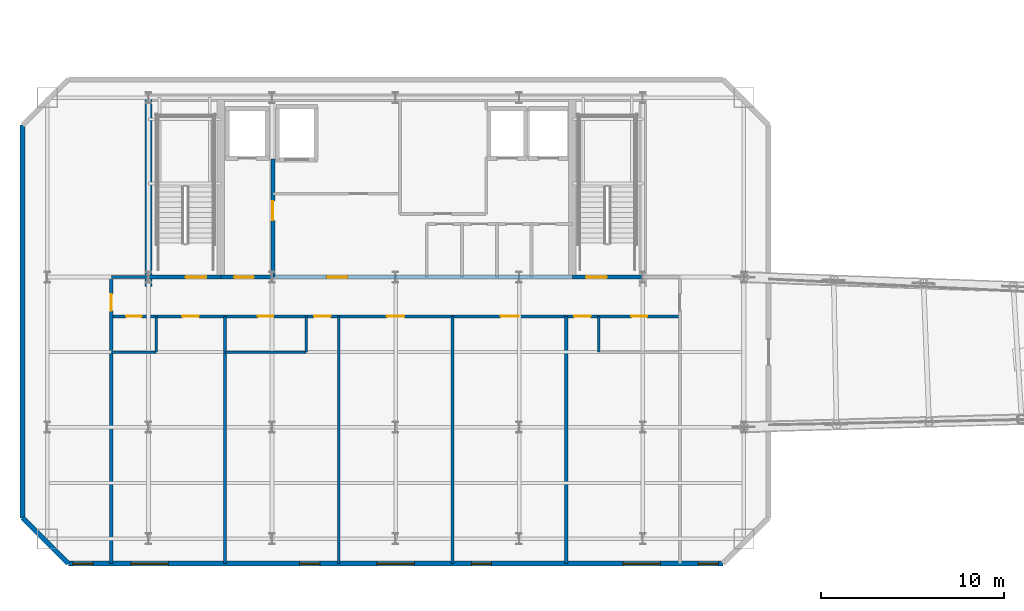
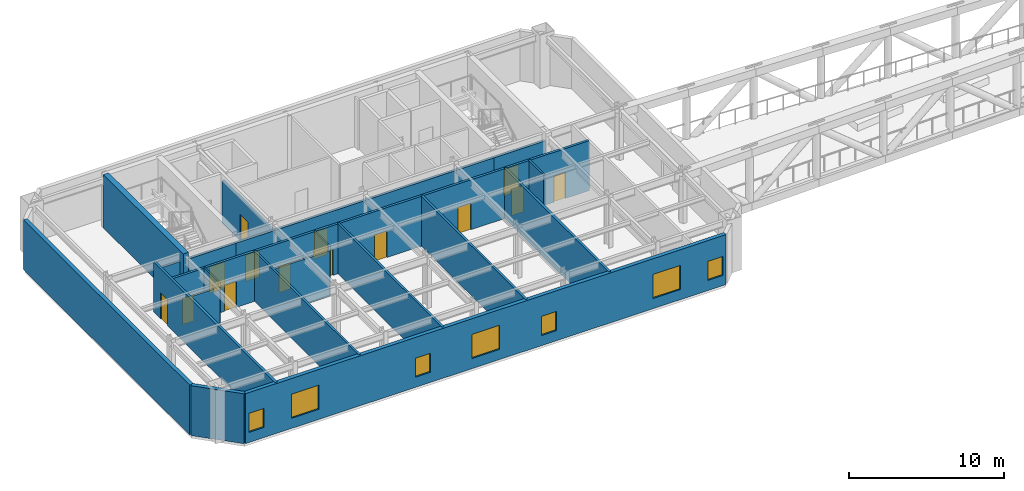
# One storey, part 7 of 14: 21 walls, 14 doors, 7 windows, 21 openings.
"""IFC4 building model written with IfcOpenShell, lengths in metres."""

from ifc_helpers import new_model, si_unit, direction, frame, frame_2d, origin, place, context, subcontext, project, spatial, rectangle, extrude, material, layer, layer_set, type_object, element, fill, save


model = new_model("IFC4")

# Units and contexts
model_context = context("Model", 3, precision=1e-05, world=origin(), true_north=direction((0.0, 1.0)))
body_context = subcontext(model_context, "Body", "Model", "MODEL_VIEW")
ifc_project = project(units=[si_unit("LENGTHUNIT", "METRE"), si_unit("AREAUNIT", "SQUARE_METRE"), si_unit("VOLUMEUNIT", "CUBIC_METRE"), si_unit("PLANEANGLEUNIT", "RADIAN"), si_unit("MASSUNIT", "GRAM", prefix="KILO")], contexts=[model_context])

# Site, building, storey
site_placement = place(None, origin())
site = spatial("IfcSite", under=ifc_project, at=site_placement, CompositionType="ELEMENT")
building_placement = place(site_placement, origin())
building = spatial("IfcBuilding", under=site, at=building_placement, Name="Haevon Station Towers", CompositionType="ELEMENT")
storey_placement = place(building_placement, frame((0.0, 0.0, 201.300048828125)))
storey = spatial("IfcBuildingStorey", under=building, at=storey_placement, Name="L55", CompositionType="ELEMENT", Elevation=201.300048828125)

# Wall, opening, door
ifc_material_1 = material(Name="Gypsum board on steel stud", Category="steel")
ifc_layer_1 = layer(ifc_material_1, 0.179931640625)
ifc_layer_set_1 = layer_set([ifc_layer_1], Name="Gypsum board on steel stud")
wall_type_1 = type_object("IfcWallType", Name="WL-ACU180", PredefinedType="PARTITIONING", material=ifc_layer_set_1)
wall_1_placement = place(storey_placement, frame((21.97509765625, 22.550048828125, 0.0), z_axis=(0.0, 0.0, 1.0), x_axis=(0.0, 1.0, 0.0)))
wall_1 = element("IfcWall", 1, at=wall_1_placement, inside=storey, type_object=wall_type_1, Name="WL-T1PT-L55-03", PredefinedType="PARTITIONING", context=body_context, shape_type="SweptSolid", body=[
    extrude(rectangle(XDim=15.64990234375, YDim=0.179931640625, at=frame_2d((7.824951171875, 0.0))), origin(), (0.0, 0.0, 1.0), 3.929931640625),
])
opening_1_placement = place(wall_1_placement, frame((13.820068359375, 0.0, 0.0)))
opening_1 = element("IfcOpeningElement", 2, at=opening_1_placement, cuts=wall_1, Name="Opening DR-WL-T1PT-L55-03-01", PredefinedType="OPENING", context=body_context, shape_type="SweptSolid", body=[
    extrude(rectangle(XDim=0.89990234375, YDim=2.050048828125, at=frame_2d((0.449951171875, 1.02490234375))), frame((0.0, 0.099853515625, 0.0), z_axis=(0.0, -1.0, 0.0), x_axis=(1.0, 0.0, 0.0)), (0.0, 0.0, 1.0), 0.199951171875),
])
ifc_material_2 = material(Name="Engineered oak timber", Category="wood")
door_type_1 = type_object("IfcDoorType", Name="DR-INT-900", OperationType="NOTDEFINED", PredefinedType="DOOR", material=ifc_material_2)
door_1_placement = place(opening_1_placement, origin())
door_1 = element("IfcDoor", 3, at=door_1_placement, inside=storey, type_object=door_type_1, Name="L55 Tower 1 Room Door 3-1", OperationType="SINGLE_SWING_LEFT", OverallHeight=2.050048828125, OverallWidth=0.89990234375, PredefinedType="DOOR", context=body_context, shape_type="SweptSolid", body=[
    extrude(rectangle(XDim=0.89990234375, YDim=2.050048828125, at=frame_2d((0.449951171875, 1.02490234375))), frame((0.0, 0.02490234375, 0.0), z_axis=(0.0, -1.0, 0.0), x_axis=(1.0, 0.0, 0.0)), (0.0, 0.0, 1.0), 0.050048828125),
])
fill(opening_1, door_1)

# Wall
wall_2_placement = place(storey_placement, frame((46.81494140625, 22.550048828125, 0.0), z_axis=(0.0, 0.0, 1.0), x_axis=(0.0, 1.0, 0.0)))
element("IfcWall", 4, at=wall_2_placement, inside=storey, type_object=wall_type_1, Name="WL-T1PT-L55-12", PredefinedType="PARTITIONING", context=body_context, shape_type="SweptSolid", body=[
    extrude(rectangle(XDim=13.5, YDim=0.179931640625, at=frame_2d((6.75, 0.0))), origin(), (0.0, 0.0, 1.0), 3.929931640625),
])

# Wall, openings, doors
wall_3_placement = place(storey_placement, frame((21.97509765625, 36.050048828125, 0.0), z_axis=(0.0, 0.0, 1.0), x_axis=(1.0, 0.0, 0.0)))
wall_3 = element("IfcWall", 5, at=wall_3_placement, inside=storey, type_object=wall_type_1, Name="WL-T1PT-L55-15", PredefinedType="PARTITIONING", context=body_context, shape_type="SweptSolid", body=[
    extrude(rectangle(XDim=31.0498046875, YDim=0.179931640625, at=frame_2d((15.52490234375, 0.0))), origin(), (0.0, 0.0, 1.0), 3.929931640625),
])
opening_2_placement = place(wall_3_placement, frame((0.800048828125, 0.0, 0.0)))
opening_2 = element("IfcOpeningElement", 6, at=opening_2_placement, cuts=wall_3, Name="Opening DR-WL-T1PT-L55-15-01", PredefinedType="OPENING", context=body_context, shape_type="SweptSolid", body=[
    extrude(rectangle(XDim=0.85009765625, YDim=2.050048828125, at=frame_2d((0.425048828125, 1.02490234375))), frame((0.0, 0.099853515625, 0.0), z_axis=(0.0, -1.0, 0.0), x_axis=(1.0, 0.0, 0.0)), (0.0, 0.0, 1.0), 0.199951171875),
])
opening_3_placement = place(wall_3_placement, frame((3.8798828125, 0.0, 0.0)))
opening_3 = element("IfcOpeningElement", 7, at=opening_3_placement, cuts=wall_3, Name="Opening DR-WL-T1PT-L55-15-02", PredefinedType="OPENING", context=body_context, shape_type="SweptSolid", body=[
    extrude(rectangle(XDim=0.89990234375, YDim=2.050048828125, at=frame_2d((0.449951171875, 1.02490234375))), frame((0.0, 0.099853515625, 0.0), z_axis=(0.0, -1.0, 0.0), x_axis=(1.0, 0.0, 0.0)), (0.0, 0.0, 1.0), 0.199951171875),
])
opening_4_placement = place(wall_3_placement, frame((8.0, 0.0, 0.0)))
opening_4 = element("IfcOpeningElement", 8, at=opening_4_placement, cuts=wall_3, Name="Opening DR-WL-T1PT-L55-15-03", PredefinedType="OPENING", context=body_context, shape_type="SweptSolid", body=[
    extrude(rectangle(XDim=0.85009765625, YDim=2.050048828125, at=frame_2d((0.425048828125, 1.02490234375))), frame((0.0, 0.099853515625, 0.0), z_axis=(0.0, -1.0, 0.0), x_axis=(1.0, 0.0, 0.0)), (0.0, 0.0, 1.0), 0.199951171875),
])
opening_5_placement = place(wall_3_placement, frame((11.080078125, 0.0, 0.0)))
opening_5 = element("IfcOpeningElement", 9, at=opening_5_placement, cuts=wall_3, Name="Opening DR-WL-T1PT-L55-15-04", PredefinedType="OPENING", context=body_context, shape_type="SweptSolid", body=[
    extrude(rectangle(XDim=0.89990234375, YDim=2.050048828125, at=frame_2d((0.449951171875, 1.02490234375))), frame((0.0, 0.099853515625, 0.0), z_axis=(0.0, -1.0, 0.0), x_axis=(1.0, 0.0, 0.0)), (0.0, 0.0, 1.0), 0.199951171875),
])
opening_6_placement = place(wall_3_placement, frame((15.050048828125, 0.0, 0.0)))
opening_6 = element("IfcOpeningElement", 10, at=opening_6_placement, cuts=wall_3, Name="Opening DR-WL-T1PT-L55-15-05", PredefinedType="OPENING", context=body_context, shape_type="SweptSolid", body=[
    extrude(rectangle(XDim=0.949951171875, YDim=2.10009765625, at=frame_2d((0.47509765625, 1.050048828125))), frame((0.0, 0.099853515625, 0.0), z_axis=(0.0, -1.0, 0.0), x_axis=(1.0, 0.0, 0.0)), (0.0, 0.0, 1.0), 0.199951171875),
])
opening_7_placement = place(wall_3_placement, frame((21.260009765625, 0.0, 0.0)))
opening_7 = element("IfcOpeningElement", 11, at=opening_7_placement, cuts=wall_3, Name="Opening DR-WL-T1PT-L55-15-06", PredefinedType="OPENING", context=body_context, shape_type="SweptSolid", body=[
    extrude(rectangle(XDim=0.97998046875, YDim=2.10009765625, at=frame_2d((0.489990234375, 1.050048828125))), frame((0.0, 0.099853515625, 0.0), z_axis=(0.0, -1.0, 0.0), x_axis=(1.0, 0.0, 0.0)), (0.0, 0.0, 1.0), 0.199951171875),
])
opening_8_placement = place(wall_3_placement, frame((28.409912109375, 0.0, 0.0)))
opening_8 = element("IfcOpeningElement", 12, at=opening_8_placement, cuts=wall_3, Name="Opening DR-WL-T1PT-L55-15-07", PredefinedType="OPENING", context=body_context, shape_type="SweptSolid", body=[
    extrude(rectangle(XDim=0.85009765625, YDim=2.050048828125, at=frame_2d((0.425048828125, 1.02490234375))), frame((0.0, 0.099853515625, 0.0), z_axis=(0.0, -1.0, 0.0), x_axis=(1.0, 0.0, 0.0)), (0.0, 0.0, 1.0), 0.199951171875),
])
opening_9_placement = place(wall_3_placement, frame((25.280029296875, 0.0, 0.0)))
opening_9 = element("IfcOpeningElement", 13, at=opening_9_placement, cuts=wall_3, Name="Opening DR-WL-T1PT-L55-15-08", PredefinedType="OPENING", context=body_context, shape_type="SweptSolid", body=[
    extrude(rectangle(XDim=0.89990234375, YDim=2.050048828125, at=frame_2d((0.449951171875, 1.02490234375))), frame((0.0, 0.099853515625, 0.0), z_axis=(0.0, -1.0, 0.0), x_axis=(1.0, 0.0, 0.0)), (0.0, 0.0, 1.0), 0.199951171875),
])
door_type_2 = type_object("IfcDoorType", Name="DR-FD30-850", OperationType="NOTDEFINED", PredefinedType="DOOR", material=ifc_material_2)
door_2_placement = place(opening_2_placement, origin())
door_2 = element("IfcDoor", 14, at=door_2_placement, inside=storey, type_object=door_type_2, Name="L55 Tower 1 Room Door 15-1", OperationType="SINGLE_SWING_LEFT", OverallHeight=2.050048828125, OverallWidth=0.85009765625, PredefinedType="DOOR", context=body_context, shape_type="SweptSolid", body=[
    extrude(rectangle(XDim=0.85009765625, YDim=2.050048828125, at=frame_2d((0.425048828125, 1.02490234375))), frame((0.0, 0.02490234375, 0.0), z_axis=(0.0, -1.0, 0.0), x_axis=(1.0, 0.0, 0.0)), (0.0, 0.0, 1.0), 0.050048828125),
])
fill(opening_2, door_2)
door_3_placement = place(opening_4_placement, origin())
door_3 = element("IfcDoor", 15, at=door_3_placement, inside=storey, type_object=door_type_2, Name="L55 Tower 1 Room Door 15-3", OperationType="SINGLE_SWING_LEFT", OverallHeight=2.050048828125, OverallWidth=0.85009765625, PredefinedType="DOOR", context=body_context, shape_type="SweptSolid", body=[
    extrude(rectangle(XDim=0.85009765625, YDim=2.050048828125, at=frame_2d((0.425048828125, 1.02490234375))), frame((0.0, 0.02490234375, 0.0), z_axis=(0.0, -1.0, 0.0), x_axis=(1.0, 0.0, 0.0)), (0.0, 0.0, 1.0), 0.050048828125),
])
fill(opening_4, door_3)
door_4_placement = place(opening_8_placement, origin())
door_4 = element("IfcDoor", 16, at=door_4_placement, inside=storey, type_object=door_type_2, Name="L55 Tower 1 Room Door 15-7", OperationType="SINGLE_SWING_LEFT", OverallHeight=2.050048828125, OverallWidth=0.85009765625, PredefinedType="DOOR", context=body_context, shape_type="SweptSolid", body=[
    extrude(rectangle(XDim=0.85009765625, YDim=2.050048828125, at=frame_2d((0.425048828125, 1.02490234375))), frame((0.0, 0.02490234375, 0.0), z_axis=(0.0, -1.0, 0.0), x_axis=(1.0, 0.0, 0.0)), (0.0, 0.0, 1.0), 0.050048828125),
])
fill(opening_8, door_4)
door_type_3 = type_object("IfcDoorType", Name="DR-FD30-950", OperationType="NOTDEFINED", PredefinedType="DOOR", material=ifc_material_2)
door_5_placement = place(opening_6_placement, origin())
door_5 = element("IfcDoor", 17, at=door_5_placement, inside=storey, type_object=door_type_3, Name="L55 Tower 1 Room Door 15-5", OperationType="SINGLE_SWING_LEFT", OverallHeight=2.10009765625, OverallWidth=0.949951171875, PredefinedType="DOOR", context=body_context, shape_type="SweptSolid", body=[
    extrude(rectangle(XDim=0.949951171875, YDim=2.10009765625, at=frame_2d((0.47509765625, 1.050048828125))), frame((0.0, 0.02490234375, 0.0), z_axis=(0.0, -1.0, 0.0), x_axis=(1.0, 0.0, 0.0)), (0.0, 0.0, 1.0), 0.050048828125),
])
fill(opening_6, door_5)
door_type_4 = type_object("IfcDoorType", Name="DR-FD30-980", OperationType="NOTDEFINED", PredefinedType="DOOR", material=ifc_material_2)
door_6_placement = place(opening_7_placement, origin())
door_6 = element("IfcDoor", 18, at=door_6_placement, inside=storey, type_object=door_type_4, Name="L55 Tower 1 Room Door 15-6", OperationType="SINGLE_SWING_RIGHT", OverallHeight=2.10009765625, OverallWidth=0.97998046875, PredefinedType="DOOR", context=body_context, shape_type="SweptSolid", body=[
    extrude(rectangle(XDim=0.97998046875, YDim=2.10009765625, at=frame_2d((0.489990234375, 1.050048828125))), frame((0.0, 0.02490234375, 0.0), z_axis=(0.0, -1.0, 0.0), x_axis=(1.0, 0.0, 0.0)), (0.0, 0.0, 1.0), 0.050048828125),
])
fill(opening_7, door_6)
door_7_placement = place(opening_3_placement, origin())
door_7 = element("IfcDoor", 19, at=door_7_placement, inside=storey, type_object=door_type_1, Name="L55 Tower 1 Room Door 15-2", OperationType="SINGLE_SWING_RIGHT", OverallHeight=2.050048828125, OverallWidth=0.89990234375, PredefinedType="DOOR", context=body_context, shape_type="SweptSolid", body=[
    extrude(rectangle(XDim=0.89990234375, YDim=2.050048828125, at=frame_2d((0.449951171875, 1.02490234375))), frame((0.0, 0.02490234375, 0.0), z_axis=(0.0, -1.0, 0.0), x_axis=(1.0, 0.0, 0.0)), (0.0, 0.0, 1.0), 0.050048828125),
])
fill(opening_3, door_7)
door_8_placement = place(opening_5_placement, origin())
door_8 = element("IfcDoor", 20, at=door_8_placement, inside=storey, type_object=door_type_1, Name="L55 Tower 1 Room Door 15-4", OperationType="SINGLE_SWING_RIGHT", OverallHeight=2.050048828125, OverallWidth=0.89990234375, PredefinedType="DOOR", context=body_context, shape_type="SweptSolid", body=[
    extrude(rectangle(XDim=0.89990234375, YDim=2.050048828125, at=frame_2d((0.449951171875, 1.02490234375))), frame((0.0, 0.02490234375, 0.0), z_axis=(0.0, -1.0, 0.0), x_axis=(1.0, 0.0, 0.0)), (0.0, 0.0, 1.0), 0.050048828125),
])
fill(opening_5, door_8)
door_9_placement = place(opening_9_placement, origin())
door_9 = element("IfcDoor", 21, at=door_9_placement, inside=storey, type_object=door_type_1, Name="L55 Tower 1 Room Door 15-8", OperationType="SINGLE_SWING_RIGHT", OverallHeight=2.050048828125, OverallWidth=0.89990234375, PredefinedType="DOOR", context=body_context, shape_type="SweptSolid", body=[
    extrude(rectangle(XDim=0.89990234375, YDim=2.050048828125, at=frame_2d((0.449951171875, 1.02490234375))), frame((0.0, 0.02490234375, 0.0), z_axis=(0.0, -1.0, 0.0), x_axis=(1.0, 0.0, 0.0)), (0.0, 0.0, 1.0), 0.050048828125),
])
fill(opening_9, door_9)

# Wall, opening, door
ifc_layer_2 = layer(ifc_material_1, 0.199951171875)
ifc_layer_set_2 = layer_set([ifc_layer_2], Name="Gypsum board on steel stud")
wall_type_2 = type_object("IfcWallType", Name="WL-COR200", PredefinedType="PARTITIONING", material=ifc_layer_set_2)
wall_4_placement = place(storey_placement, frame((24.0, 38.199951171875, 0.0), z_axis=(0.0, 0.0, 1.0), x_axis=(1.0, 0.0, 0.0)))
wall_4 = element("IfcWall", 22, at=wall_4_placement, inside=storey, type_object=wall_type_2, Name="WL-ST-ST1-L55", PredefinedType="PARTITIONING", context=body_context, shape_type="SweptSolid", body=[
    extrude(rectangle(XDim=3.949951171875, YDim=0.199951171875, at=frame_2d((1.97509765625, 0.0))), origin(), (0.0, 0.0, 1.0), 3.329833984375),
])
opening_10_placement = place(wall_4_placement, frame((2.050048828125, 0.0, 0.0)))
opening_10 = element("IfcOpeningElement", 23, at=opening_10_placement, cuts=wall_4, Name="Opening DR-ST-ST1-L55", PredefinedType="OPENING", context=body_context, shape_type="SweptSolid", body=[
    extrude(rectangle(XDim=1.1201171875, YDim=2.10009765625, at=frame_2d((0.56005859375, 1.050048828125))), frame((0.0, 0.10986328125, 0.0), z_axis=(0.0, -1.0, 0.0), x_axis=(1.0, 0.0, 0.0)), (0.0, 0.0, 1.0), 0.219970703125),
])
door_type_5 = type_object("IfcDoorType", Name="DR-ST-1120", OperationType="NOTDEFINED", PredefinedType="DOOR", material=ifc_material_2)
door_10_placement = place(opening_10_placement, origin())
door_10 = element("IfcDoor", 24, at=door_10_placement, inside=storey, type_object=door_type_5, Name="L55 Escape Stair ST1 Fire Door", OperationType="SINGLE_SWING_RIGHT", OverallHeight=2.10009765625, OverallWidth=1.1201171875, PredefinedType="DOOR", context=body_context, shape_type="SweptSolid", body=[
    extrude(rectangle(XDim=1.1201171875, YDim=2.10009765625, at=frame_2d((0.56005859375, 1.050048828125))), frame((0.0, 0.02490234375, 0.0), z_axis=(0.0, -1.0, 0.0), x_axis=(1.0, 0.0, 0.0)), (0.0, 0.0, 1.0), 0.050048828125),
])
fill(opening_10, door_10)

wall_5_placement = place(storey_placement, frame((47.14990234375, 38.199951171875, 0.0), z_axis=(0.0, 0.0, 1.0), x_axis=(1.0, 0.0, 0.0)))
wall_5 = element("IfcWall", 25, at=wall_5_placement, inside=storey, type_object=wall_type_2, Name="WL-ST-ST2-L55", PredefinedType="PARTITIONING", context=body_context, shape_type="SweptSolid", body=[
    extrude(rectangle(XDim=3.85009765625, YDim=0.199951171875, at=frame_2d((1.925048828125, 0.0))), origin(), (0.0, 0.0, 1.0), 3.329833984375),
])
opening_11_placement = place(wall_5_placement, frame((0.75, 0.0, 0.0)))
opening_11 = element("IfcOpeningElement", 26, at=opening_11_placement, cuts=wall_5, Name="Opening DR-ST-ST2-L55", PredefinedType="OPENING", context=body_context, shape_type="SweptSolid", body=[
    extrude(rectangle(XDim=1.1201171875, YDim=2.10009765625, at=frame_2d((0.56005859375, 1.050048828125))), frame((0.0, 0.10986328125, 0.0), z_axis=(0.0, -1.0, 0.0), x_axis=(1.0, 0.0, 0.0)), (0.0, 0.0, 1.0), 0.219970703125),
])
door_11_placement = place(opening_11_placement, origin())
door_11 = element("IfcDoor", 27, at=door_11_placement, inside=storey, type_object=door_type_5, Name="L55 Escape Stair ST2 Fire Door", OperationType="SINGLE_SWING_LEFT", OverallHeight=2.10009765625, OverallWidth=1.1201171875, PredefinedType="DOOR", context=body_context, shape_type="SweptSolid", body=[
    extrude(rectangle(XDim=1.1201171875, YDim=2.10009765625, at=frame_2d((0.56005859375, 1.050048828125))), frame((0.0, 0.02490234375, 0.0), z_axis=(0.0, -1.0, 0.0), x_axis=(1.0, 0.0, 0.0)), (0.0, 0.0, 1.0), 0.050048828125),
])
fill(opening_11, door_11)

wall_6_placement = place(storey_placement, frame((30.800048828125, 38.199951171875, 0.0), z_axis=(0.0, 0.0, 1.0), x_axis=(0.0, 1.0, 0.0)))
wall_6 = element("IfcWall", 28, at=wall_6_placement, inside=storey, type_object=wall_type_2, Name="WL-T1FFL-L55-E", PredefinedType="PARTITIONING", context=body_context, shape_type="SweptSolid", body=[
    extrude(rectangle(XDim=6.449951171875, YDim=0.199951171875, at=frame_2d((3.22509765625, 0.0))), origin(), (0.0, 0.0, 1.0), 3.329833984375),
])
opening_12_placement = place(wall_6_placement, frame((3.10009765625, 0.0, 0.0)))
opening_12 = element("IfcOpeningElement", 29, at=opening_12_placement, cuts=wall_6, Name="Opening DR-T1FFL-L55-E", PredefinedType="OPENING", context=body_context, shape_type="SweptSolid", body=[
    extrude(rectangle(XDim=1.050048828125, YDim=2.10009765625, at=frame_2d((0.52490234375, 1.050048828125))), frame((0.0, 0.10986328125, 0.0), z_axis=(0.0, -1.0, 0.0), x_axis=(1.0, 0.0, 0.0)), (0.0, 0.0, 1.0), 0.219970703125),
])
door_type_6 = type_object("IfcDoorType", Name="DR-FD60-1050", OperationType="NOTDEFINED", PredefinedType="DOOR", material=ifc_material_2)
door_12_placement = place(opening_12_placement, origin())
door_12 = element("IfcDoor", 30, at=door_12_placement, inside=storey, type_object=door_type_6, Name="L55 Tower 1 Firefighting Lift Lobby Door E", OperationType="SINGLE_SWING_RIGHT", OverallHeight=2.10009765625, OverallWidth=1.050048828125, PredefinedType="DOOR", context=body_context, shape_type="SweptSolid", body=[
    extrude(rectangle(XDim=1.050048828125, YDim=2.10009765625, at=frame_2d((0.52490234375, 1.050048828125))), frame((0.0, 0.02490234375, 0.0), z_axis=(0.0, -1.0, 0.0), x_axis=(1.0, 0.0, 0.0)), (0.0, 0.0, 1.0), 0.050048828125),
])
fill(opening_12, door_12)

wall_7_placement = place(storey_placement, frame((27.949951171875, 38.199951171875, 0.0), z_axis=(0.0, 0.0, 1.0), x_axis=(1.0, 0.0, 0.0)))
wall_7 = element("IfcWall", 31, at=wall_7_placement, inside=storey, type_object=wall_type_2, Name="WL-T1FFL-L55-S", PredefinedType="PARTITIONING", context=body_context, shape_type="SweptSolid", body=[
    extrude(rectangle(XDim=2.85009765625, YDim=0.199951171875, at=frame_2d((1.425048828125, 0.0))), origin(), (0.0, 0.0, 1.0), 3.329833984375),
])
opening_13_placement = place(wall_7_placement, frame((0.75, 0.0, 0.0)))
opening_13 = element("IfcOpeningElement", 32, at=opening_13_placement, cuts=wall_7, Name="Opening DR-T1FFL-L55-S", PredefinedType="OPENING", context=body_context, shape_type="SweptSolid", body=[
    extrude(rectangle(XDim=1.050048828125, YDim=2.10009765625, at=frame_2d((0.52490234375, 1.050048828125))), frame((0.0, 0.10986328125, 0.0), z_axis=(0.0, -1.0, 0.0), x_axis=(1.0, 0.0, 0.0)), (0.0, 0.0, 1.0), 0.219970703125),
])
door_13_placement = place(opening_13_placement, origin())
door_13 = element("IfcDoor", 33, at=door_13_placement, inside=storey, type_object=door_type_6, Name="L55 Tower 1 Firefighting Lift Lobby Door S", OperationType="SINGLE_SWING_LEFT", OverallHeight=2.10009765625, OverallWidth=1.050048828125, PredefinedType="DOOR", context=body_context, shape_type="SweptSolid", body=[
    extrude(rectangle(XDim=1.050048828125, YDim=2.10009765625, at=frame_2d((0.52490234375, 1.050048828125))), frame((0.0, 0.02490234375, 0.0), z_axis=(0.0, -1.0, 0.0), x_axis=(1.0, 0.0, 0.0)), (0.0, 0.0, 1.0), 0.050048828125),
])
fill(opening_13, door_13)

wall_8_placement = place(storey_placement, frame((30.800048828125, 38.199951171875, 0.0), z_axis=(0.0, 0.0, 1.0), x_axis=(1.0, 0.0, 0.0)))
wall_8 = element("IfcWall", 34, at=wall_8_placement, inside=storey, type_object=wall_type_2, Name="WL-T1CLB-L55", PredefinedType="PARTITIONING", context=body_context, shape_type="SweptSolid", body=[
    extrude(rectangle(XDim=16.349853515625, YDim=0.199951171875, at=frame_2d((8.1748046875, 0.0))), origin(), (0.0, 0.0, 1.0), 3.329833984375),
])
opening_14_placement = place(wall_8_placement, frame((2.949951171875, 0.0, 0.0)))
opening_14 = element("IfcOpeningElement", 35, at=opening_14_placement, cuts=wall_8, Name="Opening DR-T1CLB-L55-1", PredefinedType="OPENING", context=body_context, shape_type="SweptSolid", body=[
    extrude(rectangle(XDim=1.1201171875, YDim=2.10009765625, at=frame_2d((0.56005859375, 1.050048828125))), frame((0.0, 0.10986328125, 0.0), z_axis=(0.0, -1.0, 0.0), x_axis=(1.0, 0.0, 0.0)), (0.0, 0.0, 1.0), 0.219970703125),
])
door_14_placement = place(opening_14_placement, origin())
door_14 = element("IfcDoor", 36, at=door_14_placement, inside=storey, type_object=door_type_5, Name="L55 Tower 1 Core Lift Lobby Door 1", OperationType="SINGLE_SWING_RIGHT", OverallHeight=2.10009765625, OverallWidth=1.1201171875, PredefinedType="DOOR", context=body_context, shape_type="SweptSolid", body=[
    extrude(rectangle(XDim=1.1201171875, YDim=2.10009765625, at=frame_2d((0.56005859375, 1.050048828125))), frame((0.0, 0.02490234375, 0.0), z_axis=(0.0, -1.0, 0.0), x_axis=(1.0, 0.0, 0.0)), (0.0, 0.0, 1.0), 0.050048828125),
])
fill(opening_14, door_14)

# Wall
ifc_material_3 = material(Name="Concrete C60/75", Category="concrete")
ifc_layer_3 = layer(ifc_material_3, 0.39990234375)
ifc_layer_set_3 = layer_set([ifc_layer_3], Name="Concrete C60/75")
wall_type_3 = type_object("IfcWallType", Name="WL-CR400", PredefinedType="SHEAR", material=ifc_layer_set_3)
wall_9_placement = place(storey_placement, frame((24.0, 37.679931640625, 0.0), z_axis=(0.0, 0.0, 1.0), x_axis=(0.0, 1.0, 0.0)))
element("IfcWall", 37, at=wall_9_placement, inside=storey, type_object=wall_type_3, Name="WL-T1CR-L55-W", PredefinedType="SHEAR", context=body_context, shape_type="SweptSolid", body=[
    extrude(rectangle(XDim=10.320068359375, YDim=0.39990234375, at=frame_2d((5.16015625, 0.0))), origin(), (0.0, 0.0, 1.0), 4.199951171875),
])

# Wall, openings, windows
ifc_material_4 = material(Name="Precast concrete C45/55", Category="concrete")
ifc_layer_4 = layer(ifc_material_4, 0.280029296875)
ifc_layer_set_4 = layer_set([ifc_layer_4], Name="Precast concrete C45/55")
wall_type_4 = type_object("IfcWallType", Name="WL-EXT-PIER280", PredefinedType="SOLIDWALL", material=ifc_layer_set_4)
wall_10_placement = place(storey_placement, frame((55.375, 22.550048828125, 0.0), z_axis=(0.0, 0.0, 1.0), x_axis=(-1.0, 0.0, 0.0)))
wall_10 = element("IfcWall", 38, at=wall_10_placement, inside=storey, type_object=wall_type_4, Name="WL-T1-L55-S", PredefinedType="SOLIDWALL", context=body_context, shape_type="SweptSolid", body=[
    extrude(rectangle(XDim=35.75, YDim=0.280029296875, at=frame_2d((17.875, 0.0))), origin(), (0.0, 0.0, 1.0), 3.929931640625),
])
opening_15_placement = place(wall_10_placement, frame((34.39990234375, 0.0, 0.800048828125)))
opening_15 = element("IfcOpeningElement", 39, at=opening_15_placement, cuts=wall_10, Name="Opening WN-COR110", PredefinedType="OPENING", context=body_context, shape_type="SweptSolid", body=[
    extrude(rectangle(XDim=1.10009765625, YDim=1.5, at=frame_2d((0.550048828125, 0.75))), frame((0.0, 0.14990234375, 0.0), z_axis=(0.0, -1.0, 0.0), x_axis=(1.0, 0.0, 0.0)), (0.0, 0.0, 1.0), 0.300048828125),
])
opening_16_placement = place(wall_10_placement, frame((0.25, 0.0, 0.800048828125)))
opening_16 = element("IfcOpeningElement", 40, at=opening_16_placement, cuts=wall_10, Name="Opening WN-COR110", PredefinedType="OPENING", context=body_context, shape_type="SweptSolid", body=[
    extrude(rectangle(XDim=1.10009765625, YDim=1.5, at=frame_2d((0.550048828125, 0.75))), frame((0.0, 0.14990234375, 0.0), z_axis=(0.0, -1.0, 0.0), x_axis=(1.0, 0.0, 0.0)), (0.0, 0.0, 1.0), 0.300048828125),
])
opening_17_placement = place(wall_10_placement, frame((30.2900390625, 0.0, 0.800048828125)))
opening_17 = element("IfcOpeningElement", 41, at=opening_17_placement, cuts=wall_10, Name="Opening WN-P205", PredefinedType="OPENING", context=body_context, shape_type="SweptSolid", body=[
    extrude(rectangle(XDim=2.050048828125, YDim=1.89990234375, at=frame_2d((1.02490234375, 0.949951171875))), frame((0.0, 0.14990234375, 0.0), z_axis=(0.0, -1.0, 0.0), x_axis=(1.0, 0.0, 0.0)), (0.0, 0.0, 1.0), 0.300048828125),
])
opening_18_placement = place(wall_10_placement, frame((22.012451171875, 0.0, 0.800048828125)))
opening_18 = element("IfcOpeningElement", 42, at=opening_18_placement, cuts=wall_10, Name="Opening WN-COR110", PredefinedType="OPENING", context=body_context, shape_type="SweptSolid", body=[
    extrude(rectangle(XDim=1.10009765625, YDim=1.5, at=frame_2d((0.550048828125, 0.75))), frame((0.0, 0.14990234375, 0.0), z_axis=(0.0, -1.0, 0.0), x_axis=(1.0, 0.0, 0.0)), (0.0, 0.0, 1.0), 0.300048828125),
])
opening_19_placement = place(wall_10_placement, frame((16.85009765625, 0.0, 0.800048828125)))
opening_19 = element("IfcOpeningElement", 43, at=opening_19_placement, cuts=wall_10, Name="Opening WN-P205", PredefinedType="OPENING", context=body_context, shape_type="SweptSolid", body=[
    extrude(rectangle(XDim=2.050048828125, YDim=1.89990234375, at=frame_2d((1.02490234375, 0.949951171875))), frame((0.0, 0.14990234375, 0.0), z_axis=(0.0, -1.0, 0.0), x_axis=(1.0, 0.0, 0.0)), (0.0, 0.0, 1.0), 0.300048828125),
])
opening_20_placement = place(wall_10_placement, frame((12.637451171875, 0.0, 0.800048828125)))
opening_20 = element("IfcOpeningElement", 44, at=opening_20_placement, cuts=wall_10, Name="Opening WN-COR110", PredefinedType="OPENING", context=body_context, shape_type="SweptSolid", body=[
    extrude(rectangle(XDim=1.10009765625, YDim=1.5, at=frame_2d((0.550048828125, 0.75))), frame((0.0, 0.14990234375, 0.0), z_axis=(0.0, -1.0, 0.0), x_axis=(1.0, 0.0, 0.0)), (0.0, 0.0, 1.0), 0.300048828125),
])
opening_21_placement = place(wall_10_placement, frame((3.409912109375, 0.0, 0.800048828125)))
opening_21 = element("IfcOpeningElement", 45, at=opening_21_placement, cuts=wall_10, Name="Opening WN-P205", PredefinedType="OPENING", context=body_context, shape_type="SweptSolid", body=[
    extrude(rectangle(XDim=2.050048828125, YDim=1.89990234375, at=frame_2d((1.02490234375, 0.949951171875))), frame((0.0, 0.14990234375, 0.0), z_axis=(0.0, -1.0, 0.0), x_axis=(1.0, 0.0, 0.0)), (0.0, 0.0, 1.0), 0.300048828125),
])
ifc_material_5 = material(Name="Low-E triple glazing in thermally broken aluminium", Category="aluminium")
window_type_1 = type_object("IfcWindowType", Name="WN-COR110", PartitioningType="SINGLE_PANEL", PredefinedType="WINDOW", material=ifc_material_5)
window_1_placement = place(opening_15_placement, origin())
window_1 = element("IfcWindow", 46, at=window_1_placement, inside=storey, type_object=window_type_1, Name="WN-T1-L55-S01", OverallHeight=1.5, OverallWidth=1.10009765625, PartitioningType="SINGLE_PANEL", PredefinedType="WINDOW", context=body_context, shape_type="SweptSolid", body=[
    extrude(rectangle(XDim=1.10009765625, YDim=1.5, at=frame_2d((0.550048828125, 0.75))), frame((0.0, 0.030029296875, 0.0), z_axis=(0.0, -1.0, 0.0), x_axis=(1.0, 0.0, 0.0)), (0.0, 0.0, 1.0), 0.06005859375),
])
fill(opening_15, window_1)
window_2_placement = place(opening_16_placement, origin())
window_2 = element("IfcWindow", 47, at=window_2_placement, inside=storey, type_object=window_type_1, Name="WN-T1-L55-S02", OverallHeight=1.5, OverallWidth=1.10009765625, PartitioningType="SINGLE_PANEL", PredefinedType="WINDOW", context=body_context, shape_type="SweptSolid", body=[
    extrude(rectangle(XDim=1.10009765625, YDim=1.5, at=frame_2d((0.550048828125, 0.75))), frame((0.0, 0.030029296875, 0.0), z_axis=(0.0, -1.0, 0.0), x_axis=(1.0, 0.0, 0.0)), (0.0, 0.0, 1.0), 0.06005859375),
])
fill(opening_16, window_2)
window_3_placement = place(opening_18_placement, origin())
window_3 = element("IfcWindow", 48, at=window_3_placement, inside=storey, type_object=window_type_1, Name="WN-T1-L55-S04", OverallHeight=1.5, OverallWidth=1.10009765625, PartitioningType="SINGLE_PANEL", PredefinedType="WINDOW", context=body_context, shape_type="SweptSolid", body=[
    extrude(rectangle(XDim=1.10009765625, YDim=1.5, at=frame_2d((0.550048828125, 0.75))), frame((0.0, 0.030029296875, 0.0), z_axis=(0.0, -1.0, 0.0), x_axis=(1.0, 0.0, 0.0)), (0.0, 0.0, 1.0), 0.06005859375),
])
fill(opening_18, window_3)
window_4_placement = place(opening_20_placement, origin())
window_4 = element("IfcWindow", 49, at=window_4_placement, inside=storey, type_object=window_type_1, Name="WN-T1-L55-S06", OverallHeight=1.5, OverallWidth=1.10009765625, PartitioningType="SINGLE_PANEL", PredefinedType="WINDOW", context=body_context, shape_type="SweptSolid", body=[
    extrude(rectangle(XDim=1.10009765625, YDim=1.5, at=frame_2d((0.550048828125, 0.75))), frame((0.0, 0.030029296875, 0.0), z_axis=(0.0, -1.0, 0.0), x_axis=(1.0, 0.0, 0.0)), (0.0, 0.0, 1.0), 0.06005859375),
])
fill(opening_20, window_4)
window_type_2 = type_object("IfcWindowType", Name="WN-P205", PartitioningType="SINGLE_PANEL", PredefinedType="WINDOW", material=ifc_material_5)
window_5_placement = place(opening_17_placement, origin())
window_5 = element("IfcWindow", 50, at=window_5_placement, inside=storey, type_object=window_type_2, Name="WN-T1-L55-S03", OverallHeight=1.89990234375, OverallWidth=2.050048828125, PartitioningType="SINGLE_PANEL", PredefinedType="WINDOW", context=body_context, shape_type="SweptSolid", body=[
    extrude(rectangle(XDim=2.050048828125, YDim=1.89990234375, at=frame_2d((1.02490234375, 0.949951171875))), frame((0.0, 0.030029296875, 0.0), z_axis=(0.0, -1.0, 0.0), x_axis=(1.0, 0.0, 0.0)), (0.0, 0.0, 1.0), 0.06005859375),
])
fill(opening_17, window_5)
window_6_placement = place(opening_19_placement, origin())
window_6 = element("IfcWindow", 51, at=window_6_placement, inside=storey, type_object=window_type_2, Name="WN-T1-L55-S05", OverallHeight=1.89990234375, OverallWidth=2.050048828125, PartitioningType="SINGLE_PANEL", PredefinedType="WINDOW", context=body_context, shape_type="SweptSolid", body=[
    extrude(rectangle(XDim=2.050048828125, YDim=1.89990234375, at=frame_2d((1.02490234375, 0.949951171875))), frame((0.0, 0.030029296875, 0.0), z_axis=(0.0, -1.0, 0.0), x_axis=(1.0, 0.0, 0.0)), (0.0, 0.0, 1.0), 0.06005859375),
])
fill(opening_19, window_6)
window_7_placement = place(opening_21_placement, origin())
window_7 = element("IfcWindow", 52, at=window_7_placement, inside=storey, type_object=window_type_2, Name="WN-T1-L55-S07", OverallHeight=1.89990234375, OverallWidth=2.050048828125, PartitioningType="SINGLE_PANEL", PredefinedType="WINDOW", context=body_context, shape_type="SweptSolid", body=[
    extrude(rectangle(XDim=2.050048828125, YDim=1.89990234375, at=frame_2d((1.02490234375, 0.949951171875))), frame((0.0, 0.030029296875, 0.0), z_axis=(0.0, -1.0, 0.0), x_axis=(1.0, 0.0, 0.0)), (0.0, 0.0, 1.0), 0.06005859375),
])
fill(opening_21, window_7)

# Walls
wall_11_placement = place(storey_placement, frame((19.625, 22.550048828125, 0.0), z_axis=(0.0, 0.0, 1.0), x_axis=(-0.707106781187, 0.707106781187, 0.0)))
element("IfcWall", 53, at=wall_11_placement, inside=storey, type_object=wall_type_4, Name="WL-T1-L55-SWC", PredefinedType="SOLIDWALL", context=body_context, shape_type="SweptSolid", body=[
    extrude(rectangle(XDim=3.53564453125, YDim=0.280029296875, at=frame_2d((1.767822265625, 0.0))), origin(), (0.0, 0.0, 1.0), 3.929931640625),
])
wall_12_placement = place(storey_placement, frame((17.125, 25.050048828125, 0.0), z_axis=(0.0, 0.0, 1.0), x_axis=(0.0, 1.0, 0.0)))
element("IfcWall", 54, at=wall_12_placement, inside=storey, type_object=wall_type_4, Name="WL-T1-L55-W", PredefinedType="SOLIDWALL", context=body_context, shape_type="SweptSolid", body=[
    extrude(rectangle(XDim=21.449951171875, YDim=0.280029296875, at=frame_2d((10.72509765625, 0.0))), origin(), (0.0, 0.0, 1.0), 3.929931640625),
])
ifc_layer_5 = layer(ifc_material_1, 0.125)
ifc_layer_set_5 = layer_set([ifc_layer_5], Name="Gypsum board on steel stud")
wall_type_5 = type_object("IfcWallType", Name="WL-PRT125", PredefinedType="PARTITIONING", material=ifc_layer_set_5)
wall_13_placement = place(storey_placement, frame((21.97509765625, 34.10009765625, 0.0), z_axis=(0.0, 0.0, 1.0), x_axis=(1.0, 0.0, 0.0)))
element("IfcWall", 55, at=wall_13_placement, inside=storey, type_object=wall_type_5, Name="WL-T1PT-L55-05", PredefinedType="PARTITIONING", context=body_context, shape_type="SweptSolid", body=[
    extrude(rectangle(XDim=2.449951171875, YDim=0.125, at=frame_2d((1.22509765625, 0.0))), origin(), (0.0, 0.0, 1.0), 3.579833984375),
])
wall_14_placement = place(storey_placement, frame((24.425048828125, 34.10009765625, 0.0), z_axis=(0.0, 0.0, 1.0), x_axis=(0.0, 1.0, 0.0)))
element("IfcWall", 56, at=wall_14_placement, inside=storey, type_object=wall_type_5, Name="WL-T1PT-L55-06", PredefinedType="PARTITIONING", context=body_context, shape_type="SweptSolid", body=[
    extrude(rectangle(XDim=1.949951171875, YDim=0.125, at=frame_2d((0.97509765625, 0.0))), origin(), (0.0, 0.0, 1.0), 3.929931640625),
])
wall_15_placement = place(storey_placement, frame((28.18505859375, 34.10009765625, 0.0), z_axis=(0.0, 0.0, 1.0), x_axis=(1.0, 0.0, 0.0)))
element("IfcWall", 57, at=wall_15_placement, inside=storey, type_object=wall_type_5, Name="WL-T1PT-L55-08", PredefinedType="PARTITIONING", context=body_context, shape_type="SweptSolid", body=[
    extrude(rectangle(XDim=4.429931640625, YDim=0.125, at=frame_2d((2.21484375, 0.0))), origin(), (0.0, 0.0, 1.0), 3.579833984375),
])
for number, where, z_axis, x_axis, name in (
    (58, (32.614990234375, 34.10009765625, 0.0), (0.0, 0.0, 1.0), (0.0, 1.0, 0.0), "WL-T1PT-L55-09"),
    (59, (48.594970703125, 34.10009765625, 0.0), (0.0, 0.0, 1.0), (0.0, 1.0, 0.0), "WL-T1PT-L55-14"),
):
    element("IfcWall", number, at=place(storey_placement, frame(where, z_axis=z_axis, x_axis=x_axis)), inside=storey, type_object=wall_type_5, Name=name, PredefinedType="PARTITIONING", context=body_context, shape_type="SweptSolid", body=[
        extrude(rectangle(XDim=1.949951171875, YDim=0.125, at=frame_2d((0.97509765625, 0.0))), origin(), (0.0, 0.0, 1.0), 3.929931640625),
    ])
ifc_layer_6 = layer(ifc_material_1, 0.159912109375)
ifc_layer_set_6 = layer_set([ifc_layer_6], Name="Gypsum board on steel stud")
wall_type_6 = type_object("IfcWallType", Name="WL-PRT160", PredefinedType="PARTITIONING", material=ifc_layer_set_6)
wall_16_placement = place(storey_placement, frame((21.97509765625, 38.199951171875, 0.0), z_axis=(0.0, 0.0, 1.0), x_axis=(1.0, 0.0, 0.0)))
element("IfcWall", 60, at=wall_16_placement, inside=storey, type_object=wall_type_6, Name="WL-T1PT-L55-01", PredefinedType="PARTITIONING", context=body_context, shape_type="SweptSolid", body=[
    extrude(rectangle(XDim=2.02490234375, YDim=0.159912109375, at=frame_2d((1.012451171875, 0.0))), origin(), (0.0, 0.0, 1.0), 3.329833984375),
])
for number, where, z_axis, x_axis, name in (
    (61, (28.18505859375, 22.550048828125, 0.0), (0.0, 0.0, 1.0), (0.0, 1.0, 0.0), "WL-T1PT-L55-07"),
    (62, (34.39501953125, 22.550048828125, 0.0), (0.0, 0.0, 1.0), (0.0, 1.0, 0.0), "WL-T1PT-L55-10"),
    (63, (40.60498046875, 22.550048828125, 0.0), (0.0, 0.0, 1.0), (0.0, 1.0, 0.0), "WL-T1PT-L55-11"),
):
    element("IfcWall", number, at=place(storey_placement, frame(where, z_axis=z_axis, x_axis=x_axis)), inside=storey, type_object=wall_type_6, Name=name, PredefinedType="PARTITIONING", context=body_context, shape_type="SweptSolid", body=[
        extrude(rectangle(XDim=13.5, YDim=0.159912109375, at=frame_2d((6.75, 0.0))), origin(), (0.0, 0.0, 1.0), 3.929931640625),
    ])

save(model, "model.ifc")
